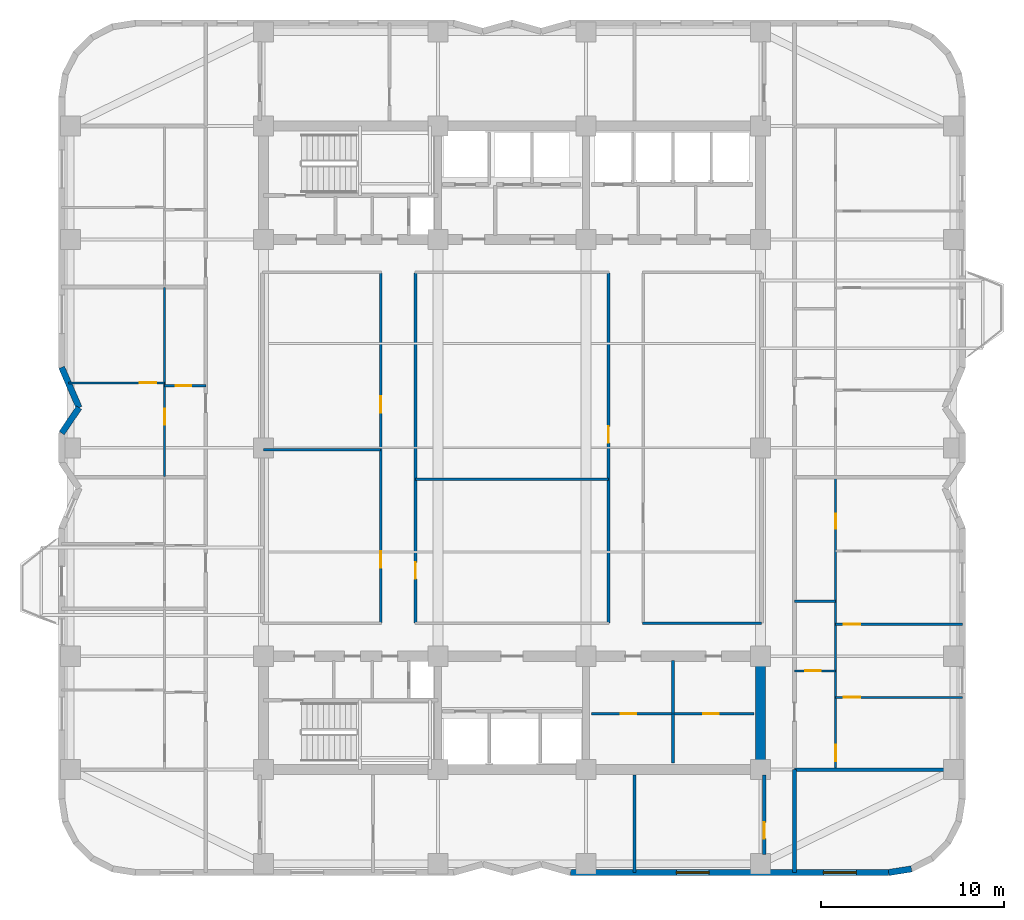
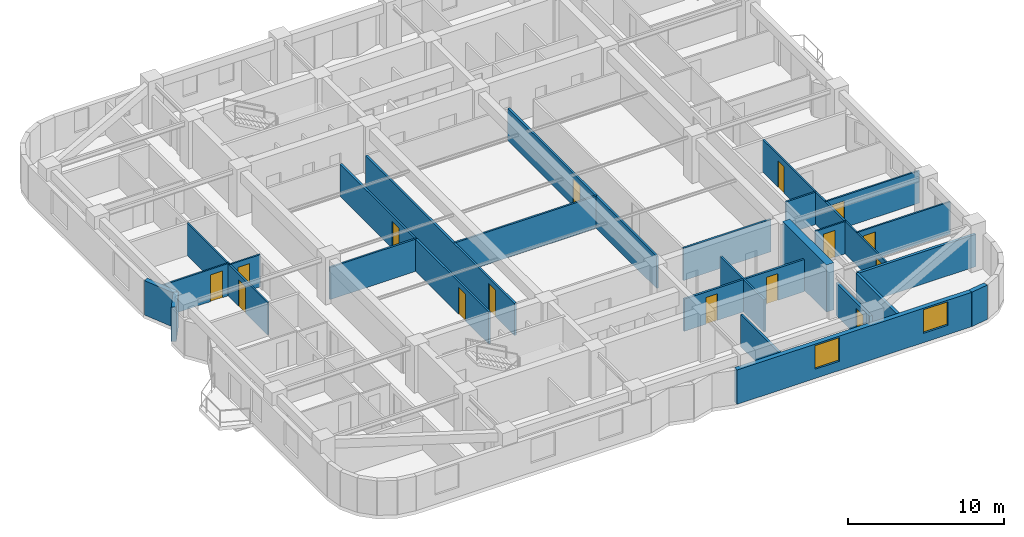
# One storey, part 4 of 9: 26 walls, 15 doors, 2 windows, 17 openings.
"""IFC4 building model written with IfcOpenShell, lengths in metres."""

from ifc_helpers import new_model, si_unit, direction, frame, frame_2d, origin, place, context, subcontext, project, spatial, rectangle, extrude, material, layer, layer_set, type_object, element, fill, save


model = new_model("IFC4")

# Units and contexts
model_context = context("Model", 3, precision=1e-05, world=origin(), true_north=direction((0.0, 1.0)))
body_context = subcontext(model_context, "Body", "Model", "MODEL_VIEW")
ifc_project = project(units=[si_unit("LENGTHUNIT", "METRE"), si_unit("AREAUNIT", "SQUARE_METRE"), si_unit("VOLUMEUNIT", "CUBIC_METRE"), si_unit("PLANEANGLEUNIT", "RADIAN"), si_unit("MASSUNIT", "GRAM", prefix="KILO")], contexts=[model_context])

# Site, building, storey
site_placement = place(None, origin())
site = spatial("IfcSite", under=ifc_project, at=site_placement, CompositionType="ELEMENT")
building_placement = place(site_placement, origin())
building = spatial("IfcBuilding", under=site, at=building_placement, Name="Svetorya Sky Lyceum", CompositionType="ELEMENT")
storey_placement = place(building_placement, frame((0.0, 0.0, 103.10009765625)))
storey = spatial("IfcBuildingStorey", under=building, at=storey_placement, Name="L25", CompositionType="ELEMENT", Elevation=103.10009765625)

# Wall
ifc_material_1 = material(Name="Concrete C60/75", Category="concrete")
ifc_layer_1 = layer(ifc_material_1, 0.550048828125)
ifc_layer_set_1 = layer_set([ifc_layer_1], Name="Concrete C60/75")
wall_type_1 = type_object("IfcWallType", Name="WL-CORE-550", PredefinedType="SHEAR", material=ifc_layer_set_1)
wall_1_placement = place(storey_placement, frame((52.800048828125, 10.875, 0.0), z_axis=(0.0, 0.0, 1.0), x_axis=(0.0, 1.0, 0.0)))
element("IfcWall", 1, at=wall_1_placement, inside=storey, type_object=wall_type_1, Name="L25 SC East Core Shear Wall", PredefinedType="SHEAR", context=body_context, shape_type="SweptSolid", body=[
    extrude(rectangle(XDim=5.64990234375, YDim=0.550048828125, at=frame_2d((2.824951171875, 0.0))), origin(), (0.0, 0.0, 1.0), 3.699951171875),
])

# Wall, openings, windows
ifc_material_2 = material(Name="Putilovo limestone rainscreen on autoclaved cellular masonry", Category="masonry")
ifc_layer_2 = layer(ifc_material_2, 0.340087890625)
ifc_layer_set_2 = layer_set([ifc_layer_2], Name="Putilovo limestone rainscreen on autoclaved cellular masonry")
wall_type_2 = type_object("IfcWallType", Name="WL-EXT-340", PredefinedType="SOLIDWALL", material=ifc_layer_set_2)
wall_2_placement = place(storey_placement, frame((42.39990234375, 4.969970703125, 0.0), z_axis=(0.0, 0.0, 1.0), x_axis=(1.0, 0.0, 0.0)))
wall_2 = element("IfcWall", 2, at=wall_2_placement, inside=storey, type_object=wall_type_2, Name="L25 Limestone Exterior Wall 11M", PredefinedType="SOLIDWALL", context=body_context, shape_type="SweptSolid", body=[
    extrude(rectangle(XDim=17.400146484375, YDim=0.340087890625, at=frame_2d((8.7001953125, 0.0))), origin(), (0.0, 0.0, 1.0), 2.699951171875),
])
opening_1_placement = place(wall_2_placement, frame((5.78759765625, 0.0, 0.72998046875)))
opening_1 = element("IfcOpeningElement", 3, at=opening_1_placement, cuts=wall_2, Name="Opening W-R1", PredefinedType="OPENING", context=body_context, shape_type="SweptSolid", body=[
    extrude(rectangle(XDim=1.800048828125, YDim=1.85009765625, at=frame_2d((0.89990234375, 0.925048828125))), frame((0.0, 0.179931640625, 0.0), z_axis=(0.0, -1.0, 0.0), x_axis=(1.0, 0.0, 0.0)), (0.0, 0.0, 1.0), 0.360107421875),
])
opening_2_placement = place(wall_2_placement, frame((13.83740234375, 0.0, 0.72998046875)))
opening_2 = element("IfcOpeningElement", 4, at=opening_2_placement, cuts=wall_2, Name="Opening W-R1", PredefinedType="OPENING", context=body_context, shape_type="SweptSolid", body=[
    extrude(rectangle(XDim=1.800048828125, YDim=1.85009765625, at=frame_2d((0.89990234375, 0.925048828125))), frame((0.0, 0.179931640625, 0.0), z_axis=(0.0, -1.0, 0.0), x_axis=(1.0, 0.0, 0.0)), (0.0, 0.0, 1.0), 0.360107421875),
])
ifc_material_3 = material(Name="Thermally broken aluminium frame with triple low-E glazing", Category="aluminium")
window_type = type_object("IfcWindowType", Name="WN-RES-180", PartitioningType="DOUBLE_PANEL_VERTICAL", PredefinedType="WINDOW", material=ifc_material_3)
window_1_placement = place(opening_1_placement, origin())
window_1 = element("IfcWindow", 5, at=window_1_placement, inside=storey, type_object=window_type, Name="L25 Facade Window W-R1.11M.1", OverallHeight=1.85009765625, OverallWidth=1.800048828125, PartitioningType="SINGLE_PANEL", PredefinedType="WINDOW", context=body_context, shape_type="SweptSolid", body=[
    extrude(rectangle(XDim=1.800048828125, YDim=1.85009765625, at=frame_2d((0.89990234375, 0.925048828125))), frame((0.0, 0.030029296875, 0.0), z_axis=(0.0, -1.0, 0.0), x_axis=(1.0, 0.0, 0.0)), (0.0, 0.0, 1.0), 0.06005859375),
])
fill(opening_1, window_1)
window_2_placement = place(opening_2_placement, origin())
window_2 = element("IfcWindow", 6, at=window_2_placement, inside=storey, type_object=window_type, Name="L25 Facade Window W-R1.11M.2", OverallHeight=1.85009765625, OverallWidth=1.800048828125, PartitioningType="SINGLE_PANEL", PredefinedType="WINDOW", context=body_context, shape_type="SweptSolid", body=[
    extrude(rectangle(XDim=1.800048828125, YDim=1.85009765625, at=frame_2d((0.89990234375, 0.925048828125))), frame((0.0, 0.030029296875, 0.0), z_axis=(0.0, -1.0, 0.0), x_axis=(1.0, 0.0, 0.0)), (0.0, 0.0, 1.0), 0.06005859375),
])
fill(opening_2, window_2)

# Walls
wall_3_placement = place(storey_placement, frame((59.800048828125, 4.969970703125, 0.0), z_axis=(0.0, 0.0, 1.0), x_axis=(0.987685918112, 0.15644975923, 0.0)))
element("IfcWall", 7, at=wall_3_placement, inside=storey, type_object=wall_type_2, Name="L25 Limestone Exterior Wall 12M", PredefinedType="SOLIDWALL", context=body_context, shape_type="SweptSolid", body=[
    extrude(rectangle(XDim=1.260986328125, YDim=0.340087890625, at=frame_2d((0.63037109375, 0.0))), origin(), (0.0, 0.0, 1.0), 2.699951171875),
])
wall_4_placement = place(storey_placement, frame((14.570068359375, 32.60009765625, 0.0), z_axis=(0.0, 0.0, 1.0), x_axis=(0.396389181543, -0.918082576218, 0.0)))
element("IfcWall", 8, at=wall_4_placement, inside=storey, type_object=wall_type_2, Name="L25 Limestone Exterior Wall 41M", PredefinedType="SOLIDWALL", context=body_context, shape_type="SweptSolid", body=[
    extrude(rectangle(XDim=2.396484375, YDim=0.340087890625, at=frame_2d((1.1982421875, 0.0))), origin(), (0.0, 0.0, 1.0), 2.699951171875),
])
wall_5_placement = place(storey_placement, frame((15.52001953125, 30.39990234375, 0.0), z_axis=(0.0, 0.0, 1.0), x_axis=(-0.561508476251, -0.827470985049, 0.0)))
element("IfcWall", 9, at=wall_5_placement, inside=storey, type_object=wall_type_2, Name="L25 Limestone Exterior Wall 42M", PredefinedType="SOLIDWALL", context=body_context, shape_type="SweptSolid", body=[
    extrude(rectangle(XDim=1.69189453125, YDim=0.340087890625, at=frame_2d((0.845947265625, 0.0))), origin(), (0.0, 0.0, 1.0), 2.699951171875),
])

# Wall, opening, door
ifc_material_4 = material(Name="Twin-stud galvanized framing with double fireboard", Category="gypsum")
ifc_layer_3 = layer(ifc_material_4, 0.1201171875)
ifc_layer_set_3 = layer_set([ifc_layer_3], Name="Twin-stud galvanized framing with double fireboard")
wall_type_3 = type_object("IfcWallType", Name="WL-PART-120", PredefinedType="PARTITIONING", material=ifc_layer_set_3)
wall_6_placement = place(storey_placement, frame((20.199951171875, 31.590087890625, 0.0), z_axis=(0.0, 0.0, 1.0), x_axis=(1.0, 0.0, 0.0)))
wall_6 = element("IfcWall", 10, at=wall_6_placement, inside=storey, type_object=wall_type_3, Name="L25 Interior Partition W3-WH1", PredefinedType="PARTITIONING", context=body_context, shape_type="SweptSolid", body=[
    extrude(rectangle(XDim=2.25, YDim=0.1201171875, at=frame_2d((1.125, 0.0))), origin(), (0.0, 0.0, 1.0), 2.52978515625),
])
opening_3_placement = place(wall_6_placement, frame((0.60009765625, 0.0, 0.0)))
opening_3 = element("IfcOpeningElement", 11, at=opening_3_placement, cuts=wall_6, Name="Opening D-BT1", PredefinedType="OPENING", context=body_context, shape_type="SweptSolid", body=[
    extrude(rectangle(XDim=0.85009765625, YDim=2.10009765625, at=frame_2d((0.425048828125, 1.050048828125))), frame((0.0, 0.070068359375, 0.0), z_axis=(0.0, -1.0, 0.0), x_axis=(1.0, 0.0, 0.0)), (0.0, 0.0, 1.0), 0.14013671875),
])
ifc_material_5 = material(Name="Moisture-resistant laminate bathroom door")
door_type_1 = type_object("IfcDoorType", Name="DR-WET-850", OperationType="SINGLE_SWING_LEFT", PredefinedType="DOOR", material=ifc_material_5)
door_1_placement = place(opening_3_placement, origin())
door_1 = element("IfcDoor", 12, at=door_1_placement, inside=storey, type_object=door_type_1, Name="Apartment W3 Bathroom Door", OperationType="SINGLE_SWING_LEFT", OverallHeight=2.10009765625, OverallWidth=0.85009765625, PredefinedType="DOOR", context=body_context, shape_type="SweptSolid", body=[
    extrude(rectangle(XDim=0.85009765625, YDim=2.10009765625, at=frame_2d((0.425048828125, 1.050048828125))), frame((0.0, 0.02490234375, 0.0), z_axis=(0.0, -1.0, 0.0), x_axis=(1.0, 0.0, 0.0)), (0.0, 0.0, 1.0), 0.050048828125),
])
fill(opening_3, door_1)

wall_7_placement = place(storey_placement, frame((14.93701171875, 31.75, 0.0), z_axis=(0.0, 0.0, 1.0), x_axis=(1.0, 0.0, 0.0)))
wall_7 = element("IfcWall", 13, at=wall_7_placement, inside=storey, type_object=wall_type_3, Name="L25 Interior Partition W3-WL1", PredefinedType="PARTITIONING", context=body_context, shape_type="SweptSolid", body=[
    extrude(rectangle(XDim=5.262939453125, YDim=0.1201171875, at=frame_2d((2.63134765625, 0.0))), origin(), (0.0, 0.0, 1.0), 2.52978515625),
])
opening_4_placement = place(wall_7_placement, frame((3.9130859375, 0.0, 0.0)))
opening_4 = element("IfcOpeningElement", 14, at=opening_4_placement, cuts=wall_7, Name="Opening D-RM1", PredefinedType="OPENING", context=body_context, shape_type="SweptSolid", body=[
    extrude(rectangle(XDim=0.89990234375, YDim=2.10009765625, at=frame_2d((0.449951171875, 1.050048828125))), frame((0.0, 0.070068359375, 0.0), z_axis=(0.0, -1.0, 0.0), x_axis=(1.0, 0.0, 0.0)), (0.0, 0.0, 1.0), 0.14013671875),
])
ifc_material_6 = material(Name="Lacquered birch veneer internal door")
door_type_2 = type_object("IfcDoorType", Name="DR-INT-900", OperationType="SINGLE_SWING_LEFT", PredefinedType="DOOR", material=ifc_material_6)
door_2_placement = place(opening_4_placement, origin())
door_2 = element("IfcDoor", 15, at=door_2_placement, inside=storey, type_object=door_type_2, Name="Apartment W3 Bedroom 1 Door", OperationType="SINGLE_SWING_LEFT", OverallHeight=2.10009765625, OverallWidth=0.89990234375, PredefinedType="DOOR", context=body_context, shape_type="SweptSolid", body=[
    extrude(rectangle(XDim=0.89990234375, YDim=2.10009765625, at=frame_2d((0.449951171875, 1.050048828125))), frame((0.0, 0.02490234375, 0.0), z_axis=(0.0, -1.0, 0.0), x_axis=(1.0, 0.0, 0.0)), (0.0, 0.0, 1.0), 0.050048828125),
])
fill(opening_4, door_2)

wall_8_placement = place(storey_placement, frame((20.199951171875, 26.639892578125, 0.0), z_axis=(0.0, 0.0, 1.0), x_axis=(0.0, 1.0, 0.0)))
wall_8 = element("IfcWall", 16, at=wall_8_placement, inside=storey, type_object=wall_type_3, Name="L25 Interior Partition W3-WV", PredefinedType="PARTITIONING", context=body_context, shape_type="SweptSolid", body=[
    extrude(rectangle(XDim=10.320068359375, YDim=0.1201171875, at=frame_2d((5.16015625, 0.0))), origin(), (0.0, 0.0, 1.0), 2.52978515625),
])
opening_5_placement = place(wall_8_placement, frame((2.81005859375, 0.0, 0.0)))
opening_5 = element("IfcOpeningElement", 17, at=opening_5_placement, cuts=wall_8, Name="Opening D-RM1", PredefinedType="OPENING", context=body_context, shape_type="SweptSolid", body=[
    extrude(rectangle(XDim=0.89990234375, YDim=2.10009765625, at=frame_2d((0.449951171875, 1.050048828125))), frame((0.0, 0.070068359375, 0.0), z_axis=(0.0, -1.0, 0.0), x_axis=(1.0, 0.0, 0.0)), (0.0, 0.0, 1.0), 0.14013671875),
])
door_3_placement = place(opening_5_placement, origin())
door_3 = element("IfcDoor", 18, at=door_3_placement, inside=storey, type_object=door_type_2, Name="Apartment W3 Living Door", OperationType="SINGLE_SWING_RIGHT", OverallHeight=2.10009765625, OverallWidth=0.89990234375, PredefinedType="DOOR", context=body_context, shape_type="SweptSolid", body=[
    extrude(rectangle(XDim=0.89990234375, YDim=2.10009765625, at=frame_2d((0.449951171875, 1.050048828125))), frame((0.0, 0.02490234375, 0.0), z_axis=(0.0, -1.0, 0.0), x_axis=(1.0, 0.0, 0.0)), (0.0, 0.0, 1.0), 0.050048828125),
])
fill(opening_5, door_3)

wall_9_placement = place(storey_placement, frame((54.64990234375, 16.0, 0.0), z_axis=(0.0, 0.0, 1.0), x_axis=(1.0, 0.0, 0.0)))
wall_9 = element("IfcWall", 19, at=wall_9_placement, inside=storey, type_object=wall_type_3, Name="L25 Interior Partition E1-WH1", PredefinedType="PARTITIONING", context=body_context, shape_type="SweptSolid", body=[
    extrude(rectangle(XDim=2.25, YDim=0.1201171875, at=frame_2d((1.125, 0.0))), origin(), (0.0, 0.0, 1.0), 2.52978515625),
])
opening_6_placement = place(wall_9_placement, frame((0.60009765625, 0.0, 0.0)))
opening_6 = element("IfcOpeningElement", 20, at=opening_6_placement, cuts=wall_9, Name="Opening D-BT1", PredefinedType="OPENING", context=body_context, shape_type="SweptSolid", body=[
    extrude(rectangle(XDim=0.85009765625, YDim=2.10009765625, at=frame_2d((0.425048828125, 1.050048828125))), frame((0.0, 0.070068359375, 0.0), z_axis=(0.0, -1.0, 0.0), x_axis=(1.0, 0.0, 0.0)), (0.0, 0.0, 1.0), 0.14013671875),
])
door_4_placement = place(opening_6_placement, origin())
door_4 = element("IfcDoor", 21, at=door_4_placement, inside=storey, type_object=door_type_1, Name="Apartment E1 Bathroom Door", OperationType="SINGLE_SWING_RIGHT", OverallHeight=2.10009765625, OverallWidth=0.85009765625, PredefinedType="DOOR", context=body_context, shape_type="SweptSolid", body=[
    extrude(rectangle(XDim=0.85009765625, YDim=2.10009765625, at=frame_2d((0.425048828125, 1.050048828125))), frame((0.0, 0.02490234375, 0.0), z_axis=(0.0, -1.0, 0.0), x_axis=(1.0, 0.0, 0.0)), (0.0, 0.0, 1.0), 0.050048828125),
])
fill(opening_6, door_4)

wall_10_placement = place(storey_placement, frame((56.89990234375, 14.550048828125, 0.0), z_axis=(0.0, 0.0, 1.0), x_axis=(1.0, 0.0, 0.0)))
wall_10 = element("IfcWall", 22, at=wall_10_placement, inside=storey, type_object=wall_type_3, Name="L25 Interior Partition E1-WL1", PredefinedType="PARTITIONING", context=body_context, shape_type="SweptSolid", body=[
    extrude(rectangle(XDim=6.93017578125, YDim=0.1201171875, at=frame_2d((3.465087890625, 0.0))), origin(), (0.0, 0.0, 1.0), 2.52978515625),
])
opening_7_placement = place(wall_10_placement, frame((0.449951171875, 0.0, 0.0)))
opening_7 = element("IfcOpeningElement", 23, at=opening_7_placement, cuts=wall_10, Name="Opening D-RM1", PredefinedType="OPENING", context=body_context, shape_type="SweptSolid", body=[
    extrude(rectangle(XDim=0.89990234375, YDim=2.10009765625, at=frame_2d((0.449951171875, 1.050048828125))), frame((0.0, 0.070068359375, 0.0), z_axis=(0.0, -1.0, 0.0), x_axis=(1.0, 0.0, 0.0)), (0.0, 0.0, 1.0), 0.14013671875),
])
door_5_placement = place(opening_7_placement, origin())
door_5 = element("IfcDoor", 24, at=door_5_placement, inside=storey, type_object=door_type_2, Name="Apartment E1 Master Bedroom Door", OperationType="SINGLE_SWING_RIGHT", OverallHeight=2.10009765625, OverallWidth=0.89990234375, PredefinedType="DOOR", context=body_context, shape_type="SweptSolid", body=[
    extrude(rectangle(XDim=0.89990234375, YDim=2.10009765625, at=frame_2d((0.449951171875, 1.050048828125))), frame((0.0, 0.02490234375, 0.0), z_axis=(0.0, -1.0, 0.0), x_axis=(1.0, 0.0, 0.0)), (0.0, 0.0, 1.0), 0.050048828125),
])
fill(opening_7, door_5)

wall_11_placement = place(storey_placement, frame((56.89990234375, 18.550048828125, 0.0), z_axis=(0.0, 0.0, 1.0), x_axis=(1.0, 0.0, 0.0)))
wall_11 = element("IfcWall", 25, at=wall_11_placement, inside=storey, type_object=wall_type_3, Name="L25 Interior Partition E1-WL2", PredefinedType="PARTITIONING", context=body_context, shape_type="SweptSolid", body=[
    extrude(rectangle(XDim=6.93017578125, YDim=0.1201171875, at=frame_2d((3.465087890625, 0.0))), origin(), (0.0, 0.0, 1.0), 2.52978515625),
])
opening_8_placement = place(wall_11_placement, frame((0.449951171875, 0.0, 0.0)))
opening_8 = element("IfcOpeningElement", 26, at=opening_8_placement, cuts=wall_11, Name="Opening D-RM1", PredefinedType="OPENING", context=body_context, shape_type="SweptSolid", body=[
    extrude(rectangle(XDim=0.89990234375, YDim=2.10009765625, at=frame_2d((0.449951171875, 1.050048828125))), frame((0.0, 0.070068359375, 0.0), z_axis=(0.0, -1.0, 0.0), x_axis=(1.0, 0.0, 0.0)), (0.0, 0.0, 1.0), 0.14013671875),
])
door_6_placement = place(opening_8_placement, origin())
door_6 = element("IfcDoor", 27, at=door_6_placement, inside=storey, type_object=door_type_2, Name="Apartment E1 Bedroom 2 Door", OperationType="SINGLE_SWING_LEFT", OverallHeight=2.10009765625, OverallWidth=0.89990234375, PredefinedType="DOOR", context=body_context, shape_type="SweptSolid", body=[
    extrude(rectangle(XDim=0.89990234375, YDim=2.10009765625, at=frame_2d((0.449951171875, 1.050048828125))), frame((0.0, 0.02490234375, 0.0), z_axis=(0.0, -1.0, 0.0), x_axis=(1.0, 0.0, 0.0)), (0.0, 0.0, 1.0), 0.050048828125),
])
fill(opening_8, door_6)

# Wall, openings, doors
wall_12_placement = place(storey_placement, frame((56.89990234375, 10.639892578125, 0.0), z_axis=(0.0, 0.0, 1.0), x_axis=(0.0, 1.0, 0.0)))
wall_12 = element("IfcWall", 28, at=wall_12_placement, inside=storey, type_object=wall_type_3, Name="L25 Interior Partition E1-WV", PredefinedType="PARTITIONING", context=body_context, shape_type="SweptSolid", body=[
    extrude(rectangle(XDim=15.920166015625, YDim=0.1201171875, at=frame_2d((7.9599609375, 0.0))), origin(), (0.0, 0.0, 1.0), 2.52978515625),
])
opening_9_placement = place(wall_12_placement, frame((0.409912109375, 0.0, 0.0)))
opening_9 = element("IfcOpeningElement", 29, at=opening_9_placement, cuts=wall_12, Name="Opening D-RM1", PredefinedType="OPENING", context=body_context, shape_type="SweptSolid", body=[
    extrude(rectangle(XDim=0.89990234375, YDim=2.10009765625, at=frame_2d((0.449951171875, 1.050048828125))), frame((0.0, 0.070068359375, 0.0), z_axis=(0.0, -1.0, 0.0), x_axis=(1.0, 0.0, 0.0)), (0.0, 0.0, 1.0), 0.14013671875),
])
opening_10_placement = place(wall_12_placement, frame((13.125, 0.0, 0.0)))
opening_10 = element("IfcOpeningElement", 30, at=opening_10_placement, cuts=wall_12, Name="Opening D-BT2", PredefinedType="OPENING", context=body_context, shape_type="SweptSolid", body=[
    extrude(rectangle(XDim=0.820068359375, YDim=2.080078125, at=frame_2d((0.41015625, 1.0400390625))), frame((0.0, 0.070068359375, 0.0), z_axis=(0.0, -1.0, 0.0), x_axis=(1.0, 0.0, 0.0)), (0.0, 0.0, 1.0), 0.14013671875),
])
door_7_placement = place(opening_9_placement, origin())
door_7 = element("IfcDoor", 31, at=door_7_placement, inside=storey, type_object=door_type_2, Name="Apartment E1 Living Door", OperationType="SINGLE_SWING_LEFT", OverallHeight=2.10009765625, OverallWidth=0.89990234375, PredefinedType="DOOR", context=body_context, shape_type="SweptSolid", body=[
    extrude(rectangle(XDim=0.89990234375, YDim=2.10009765625, at=frame_2d((0.449951171875, 1.050048828125))), frame((0.0, 0.02490234375, 0.0), z_axis=(0.0, -1.0, 0.0), x_axis=(1.0, 0.0, 0.0)), (0.0, 0.0, 1.0), 0.050048828125),
])
fill(opening_9, door_7)
ifc_material_7 = material(Name="Compact moisture-resistant laminate closet door")
door_type_3 = type_object("IfcDoorType", Name="DR-WET-820", OperationType="SINGLE_SWING_LEFT", PredefinedType="DOOR", material=ifc_material_7)
door_8_placement = place(opening_10_placement, origin())
door_8 = element("IfcDoor", 32, at=door_8_placement, inside=storey, type_object=door_type_3, Name="Apartment E1 Study Door", OperationType="SINGLE_SWING_RIGHT", OverallHeight=2.080078125, OverallWidth=0.820068359375, PredefinedType="DOOR", context=body_context, shape_type="SweptSolid", body=[
    extrude(rectangle(XDim=0.820068359375, YDim=2.080078125, at=frame_2d((0.41015625, 1.0400390625))), frame((0.0, 0.02490234375, 0.0), z_axis=(0.0, -1.0, 0.0), x_axis=(1.0, 0.0, 0.0)), (0.0, 0.0, 1.0), 0.050048828125),
])
fill(opening_10, door_8)

# Walls
ifc_material_8 = material(Name="Twin-stud galvanized framing with acoustic board", Category="gypsum")
ifc_layer_4 = layer(ifc_material_8, 0.135009765625)
ifc_layer_set_4 = layer_set([ifc_layer_4], Name="Twin-stud galvanized framing with acoustic board")
wall_type_4 = type_object("IfcWallType", Name="WL-PART-135", PredefinedType="PARTITIONING", material=ifc_layer_set_4)
wall_13_placement = place(storey_placement, frame((25.60009765625, 28.10009765625, 0.0), z_axis=(0.0, 0.0, 1.0), x_axis=(1.0, 0.0, 0.0)))
element("IfcWall", 33, at=wall_13_placement, inside=storey, type_object=wall_type_4, Name="L25 Interior Partition ISL-HMW", PredefinedType="PARTITIONING", context=body_context, shape_type="SweptSolid", body=[
    extrude(rectangle(XDim=6.419921875, YDim=0.135009765625, at=frame_2d((3.2099609375, 0.0))), origin(), (0.0, 0.0, 1.0), 2.52978515625),
])
wall_14_placement = place(storey_placement, frame((33.919921875, 26.477294921875, 0.0), z_axis=(0.0, 0.0, 1.0), x_axis=(1.0, 0.0, 0.0)))
element("IfcWall", 34, at=wall_14_placement, inside=storey, type_object=wall_type_4, Name="L25 Interior Partition ISL-HMIDE", PredefinedType="PARTITIONING", context=body_context, shape_type="SweptSolid", body=[
    extrude(rectangle(XDim=10.56005859375, YDim=0.135009765625, at=frame_2d((5.280029296875, 0.0))), origin(), (0.0, 0.0, 1.0), 2.52978515625),
])
wall_15_placement = place(storey_placement, frame((54.64990234375, 19.800048828125, 0.0), z_axis=(0.0, 0.0, 1.0), x_axis=(1.0, 0.0, 0.0)))
element("IfcWall", 35, at=wall_15_placement, inside=storey, type_object=wall_type_4, Name="L25 Interior Partition E1-WH2", PredefinedType="PARTITIONING", context=body_context, shape_type="SweptSolid", body=[
    extrude(rectangle(XDim=2.25, YDim=0.135009765625, at=frame_2d((1.125, 0.0))), origin(), (0.0, 0.0, 1.0), 2.52978515625),
])
ifc_material_9 = material(Name="Autoclaved cellular masonry blockwork with acoustic render", Category="masonry")
ifc_layer_5 = layer(ifc_material_9, 0.14990234375)
ifc_layer_set_5 = layer_set([ifc_layer_5], Name="Autoclaved cellular masonry blockwork with acoustic render")
wall_type_5 = type_object("IfcWallType", Name="WL-PART-150", PredefinedType="PARTITIONING", material=ifc_layer_set_5)
wall_16_placement = place(storey_placement, frame((48.0, 10.949951171875, 0.0), z_axis=(0.0, 0.0, 1.0), x_axis=(0.0, 1.0, 0.0)))
element("IfcWall", 36, at=wall_16_placement, inside=storey, type_object=wall_type_5, Name="L25 Interior Partition SC-LV7-V", PredefinedType="PARTITIONING", context=body_context, shape_type="SweptSolid", body=[
    extrude(rectangle(XDim=5.630126953125, YDim=0.14990234375, at=frame_2d((2.81494140625, 0.0))), origin(), (0.0, 0.0, 1.0), 2.52978515625),
])

# Wall, opening, door
wall_17_placement = place(storey_placement, frame((43.550048828125, 13.64990234375, 0.0), z_axis=(0.0, 0.0, 1.0), x_axis=(1.0, 0.0, 0.0)))
wall_17 = element("IfcWall", 37, at=wall_17_placement, inside=storey, type_object=wall_type_5, Name="L25 Interior Partition SC-LV7-HW", PredefinedType="PARTITIONING", context=body_context, shape_type="SweptSolid", body=[
    extrude(rectangle(XDim=4.39990234375, YDim=0.14990234375, at=frame_2d((2.199951171875, 0.0))), origin(), (0.0, 0.0, 1.0), 2.52978515625),
])
opening_11_placement = place(wall_17_placement, frame((1.60009765625, 0.0, 0.0)))
opening_11 = element("IfcOpeningElement", 38, at=opening_11_placement, cuts=wall_17, Name="Opening D-CWC1", PredefinedType="OPENING", context=body_context, shape_type="SweptSolid", body=[
    extrude(rectangle(XDim=0.85009765625, YDim=2.10009765625, at=frame_2d((0.425048828125, 1.050048828125))), frame((0.0, 0.0849609375, 0.0), z_axis=(0.0, -1.0, 0.0), x_axis=(1.0, 0.0, 0.0)), (0.0, 0.0, 1.0), 0.169921875),
])
ifc_material_10 = material(Name="Fire-rated galvanized steel core service closet door", Category="steel")
door_type_4 = type_object("IfcDoorType", Name="DR-CWET-850", OperationType="SINGLE_SWING_LEFT", PredefinedType="DOOR", material=ifc_material_10)
door_9_placement = place(opening_11_placement, origin())
door_9 = element("IfcDoor", 39, at=door_9_placement, inside=storey, type_object=door_type_4, Name="L25 South Electrical Room Door", OperationType="SINGLE_SWING_LEFT", OverallHeight=2.10009765625, OverallWidth=0.85009765625, PredefinedType="DOOR", context=body_context, shape_type="SweptSolid", body=[
    extrude(rectangle(XDim=0.85009765625, YDim=2.10009765625, at=frame_2d((0.425048828125, 1.050048828125))), frame((0.0, 0.02490234375, 0.0), z_axis=(0.0, -1.0, 0.0), x_axis=(1.0, 0.0, 0.0)), (0.0, 0.0, 1.0), 0.050048828125),
])
fill(opening_11, door_9)

wall_18_placement = place(storey_placement, frame((48.050048828125, 13.64990234375, 0.0), z_axis=(0.0, 0.0, 1.0), x_axis=(1.0, 0.0, 0.0)))
wall_18 = element("IfcWall", 40, at=wall_18_placement, inside=storey, type_object=wall_type_5, Name="L25 Interior Partition SC-LV7-HE", PredefinedType="PARTITIONING", context=body_context, shape_type="SweptSolid", body=[
    extrude(rectangle(XDim=4.39990234375, YDim=0.14990234375, at=frame_2d((2.199951171875, 0.0))), origin(), (0.0, 0.0, 1.0), 2.52978515625),
])
opening_12_placement = place(wall_18_placement, frame((1.60009765625, 0.0, 0.0)))
opening_12 = element("IfcOpeningElement", 41, at=opening_12_placement, cuts=wall_18, Name="Opening D-CWC1", PredefinedType="OPENING", context=body_context, shape_type="SweptSolid", body=[
    extrude(rectangle(XDim=0.85009765625, YDim=2.10009765625, at=frame_2d((0.425048828125, 1.050048828125))), frame((0.0, 0.0849609375, 0.0), z_axis=(0.0, -1.0, 0.0), x_axis=(1.0, 0.0, 0.0)), (0.0, 0.0, 1.0), 0.169921875),
])
door_10_placement = place(opening_12_placement, origin())
door_10 = element("IfcDoor", 42, at=door_10_placement, inside=storey, type_object=door_type_4, Name="L25 South Server Closet Door", OperationType="SINGLE_SWING_RIGHT", OverallHeight=2.10009765625, OverallWidth=0.85009765625, PredefinedType="DOOR", context=body_context, shape_type="SweptSolid", body=[
    extrude(rectangle(XDim=0.85009765625, YDim=2.10009765625, at=frame_2d((0.425048828125, 1.050048828125))), frame((0.0, 0.02490234375, 0.0), z_axis=(0.0, -1.0, 0.0), x_axis=(1.0, 0.0, 0.0)), (0.0, 0.0, 1.0), 0.050048828125),
])
fill(opening_12, door_10)

# Wall
wall_19_placement = place(storey_placement, frame((46.35009765625, 18.60009765625, 0.0), z_axis=(0.0, 0.0, 1.0), x_axis=(1.0, 0.0, 0.0)))
element("IfcWall", 43, at=wall_19_placement, inside=storey, type_object=wall_type_5, Name="L25 Interior Partition RL-CS-E", PredefinedType="PARTITIONING", context=body_context, shape_type="SweptSolid", body=[
    extrude(rectangle(XDim=6.5, YDim=0.14990234375, at=frame_2d((3.25, 0.0))), origin(), (0.0, 0.0, 1.0), 2.52978515625),
])

# Wall, openings, doors
wall_20_placement = place(storey_placement, frame((32.02001953125, 18.6298828125, 0.0), z_axis=(0.0, 0.0, 1.0), x_axis=(0.0, 1.0, 0.0)))
wall_20 = element("IfcWall", 44, at=wall_20_placement, inside=storey, type_object=wall_type_5, Name="L25 Interior Partition ISL-WW", PredefinedType="PARTITIONING", context=body_context, shape_type="SweptSolid", body=[
    extrude(rectangle(XDim=19.14013671875, YDim=0.14990234375, at=frame_2d((9.570068359375, 0.0))), origin(), (0.0, 0.0, 1.0), 2.52978515625),
])
opening_13_placement = place(wall_20_placement, frame((3.0, 0.0, 0.0)))
opening_13 = element("IfcOpeningElement", 45, at=opening_13_placement, cuts=wall_20, Name="Opening D-RM1", PredefinedType="OPENING", context=body_context, shape_type="SweptSolid", body=[
    extrude(rectangle(XDim=0.89990234375, YDim=2.10009765625, at=frame_2d((0.449951171875, 1.050048828125))), frame((0.0, 0.0849609375, 0.0), z_axis=(0.0, -1.0, 0.0), x_axis=(1.0, 0.0, 0.0)), (0.0, 0.0, 1.0), 0.169921875),
])
opening_14_placement = place(wall_20_placement, frame((11.5, 0.0, 0.0)))
opening_14 = element("IfcOpeningElement", 46, at=opening_14_placement, cuts=wall_20, Name="Opening D-RM1", PredefinedType="OPENING", context=body_context, shape_type="SweptSolid", body=[
    extrude(rectangle(XDim=0.89990234375, YDim=2.10009765625, at=frame_2d((0.449951171875, 1.050048828125))), frame((0.0, 0.0849609375, 0.0), z_axis=(0.0, -1.0, 0.0), x_axis=(1.0, 0.0, 0.0)), (0.0, 0.0, 1.0), 0.169921875),
])
door_11_placement = place(opening_13_placement, origin())
door_11 = element("IfcDoor", 47, at=door_11_placement, inside=storey, type_object=door_type_2, Name="L25 Reading Door", OperationType="SINGLE_SWING_RIGHT", OverallHeight=2.10009765625, OverallWidth=0.89990234375, PredefinedType="DOOR", context=body_context, shape_type="SweptSolid", body=[
    extrude(rectangle(XDim=0.89990234375, YDim=2.10009765625, at=frame_2d((0.449951171875, 1.050048828125))), frame((0.0, 0.02490234375, 0.0), z_axis=(0.0, -1.0, 0.0), x_axis=(1.0, 0.0, 0.0)), (0.0, 0.0, 1.0), 0.050048828125),
])
fill(opening_13, door_11)
door_12_placement = place(opening_14_placement, origin())
door_12 = element("IfcDoor", 48, at=door_12_placement, inside=storey, type_object=door_type_2, Name="L25 Music Door", OperationType="SINGLE_SWING_LEFT", OverallHeight=2.10009765625, OverallWidth=0.89990234375, PredefinedType="DOOR", context=body_context, shape_type="SweptSolid", body=[
    extrude(rectangle(XDim=0.89990234375, YDim=2.10009765625, at=frame_2d((0.449951171875, 1.050048828125))), frame((0.0, 0.02490234375, 0.0), z_axis=(0.0, -1.0, 0.0), x_axis=(1.0, 0.0, 0.0)), (0.0, 0.0, 1.0), 0.050048828125),
])
fill(opening_14, door_12)

# Wall, opening, door
wall_21_placement = place(storey_placement, frame((33.919921875, 18.6298828125, 0.0), z_axis=(0.0, 0.0, 1.0), x_axis=(0.0, 1.0, 0.0)))
wall_21 = element("IfcWall", 49, at=wall_21_placement, inside=storey, type_object=wall_type_5, Name="L25 Interior Partition ISL-WE", PredefinedType="PARTITIONING", context=body_context, shape_type="SweptSolid", body=[
    extrude(rectangle(XDim=19.14013671875, YDim=0.14990234375, at=frame_2d((9.570068359375, 0.0))), origin(), (0.0, 0.0, 1.0), 2.52978515625),
])
opening_15_placement = place(wall_21_placement, frame((2.39990234375, 0.0, 0.0)))
opening_15 = element("IfcOpeningElement", 50, at=opening_15_placement, cuts=wall_21, Name="Opening D-RM1", PredefinedType="OPENING", context=body_context, shape_type="SweptSolid", body=[
    extrude(rectangle(XDim=0.89990234375, YDim=2.10009765625, at=frame_2d((0.449951171875, 1.050048828125))), frame((0.0, 0.0849609375, 0.0), z_axis=(0.0, -1.0, 0.0), x_axis=(1.0, 0.0, 0.0)), (0.0, 0.0, 1.0), 0.169921875),
])
door_13_placement = place(opening_15_placement, origin())
door_13 = element("IfcDoor", 51, at=door_13_placement, inside=storey, type_object=door_type_2, Name="L25 Office Door", OperationType="SINGLE_SWING_LEFT", OverallHeight=2.10009765625, OverallWidth=0.89990234375, PredefinedType="DOOR", context=body_context, shape_type="SweptSolid", body=[
    extrude(rectangle(XDim=0.89990234375, YDim=2.10009765625, at=frame_2d((0.449951171875, 1.050048828125))), frame((0.0, 0.02490234375, 0.0), z_axis=(0.0, -1.0, 0.0), x_axis=(1.0, 0.0, 0.0)), (0.0, 0.0, 1.0), 0.050048828125),
])
fill(opening_15, door_13)

wall_22_placement = place(storey_placement, frame((44.47998046875, 18.6298828125, 0.0), z_axis=(0.0, 0.0, 1.0), x_axis=(0.0, 1.0, 0.0)))
wall_22 = element("IfcWall", 52, at=wall_22_placement, inside=storey, type_object=wall_type_5, Name="L25 Interior Partition ISL-EW", PredefinedType="PARTITIONING", context=body_context, shape_type="SweptSolid", body=[
    extrude(rectangle(XDim=19.14013671875, YDim=0.14990234375, at=frame_2d((9.570068359375, 0.0))), origin(), (0.0, 0.0, 1.0), 2.52978515625),
])
opening_16_placement = place(wall_22_placement, frame((9.847412109375, 0.0, 0.0)))
opening_16 = element("IfcOpeningElement", 53, at=opening_16_placement, cuts=wall_22, Name="Opening D-RM1", PredefinedType="OPENING", context=body_context, shape_type="SweptSolid", body=[
    extrude(rectangle(XDim=0.89990234375, YDim=2.10009765625, at=frame_2d((0.449951171875, 1.050048828125))), frame((0.0, 0.0849609375, 0.0), z_axis=(0.0, -1.0, 0.0), x_axis=(1.0, 0.0, 0.0)), (0.0, 0.0, 1.0), 0.169921875),
])
door_14_placement = place(opening_16_placement, origin())
door_14 = element("IfcDoor", 54, at=door_14_placement, inside=storey, type_object=door_type_2, Name="L25 Meeting Door", OperationType="SINGLE_SWING_RIGHT", OverallHeight=2.10009765625, OverallWidth=0.89990234375, PredefinedType="DOOR", context=body_context, shape_type="SweptSolid", body=[
    extrude(rectangle(XDim=0.89990234375, YDim=2.10009765625, at=frame_2d((0.449951171875, 1.050048828125))), frame((0.0, 0.02490234375, 0.0), z_axis=(0.0, -1.0, 0.0), x_axis=(1.0, 0.0, 0.0)), (0.0, 0.0, 1.0), 0.050048828125),
])
fill(opening_16, door_14)

# Walls
wall_23_placement = place(storey_placement, frame((45.89990234375, 4.969970703125, 0.0), z_axis=(0.0, 0.0, 1.0), x_axis=(0.0, 1.0, 0.0)))
element("IfcWall", 55, at=wall_23_placement, inside=storey, type_object=wall_type_5, Name="L25 Interior Partition S-D2", PredefinedType="PARTITIONING", context=body_context, shape_type="SweptSolid", body=[
    extrude(rectangle(XDim=5.330078125, YDim=0.14990234375, at=frame_2d((2.6650390625, 0.0))), origin(), (0.0, 0.0, 1.0), 2.52978515625),
])
ifc_material_11 = material(Name="Autoclaved cellular masonry blockwork with gypsum plaster", Category="masonry")
ifc_layer_6 = layer(ifc_material_11, 0.199951171875)
ifc_layer_set_6 = layer_set([ifc_layer_6], Name="Autoclaved cellular masonry blockwork with gypsum plaster")
wall_type_6 = type_object("IfcWallType", Name="WL-PART-200", PredefinedType="PARTITIONING", material=ifc_layer_set_6)
wall_24_placement = place(storey_placement, frame((54.64990234375, 10.60009765625, 0.0), z_axis=(0.0, 0.0, 1.0), x_axis=(1.0, 0.0, 0.0)))
element("IfcWall", 56, at=wall_24_placement, inside=storey, type_object=wall_type_6, Name="L25 Interior Partition E-CAP-S", PredefinedType="PARTITIONING", context=body_context, shape_type="SweptSolid", body=[
    extrude(rectangle(XDim=8.760009765625, YDim=0.199951171875, at=frame_2d((4.3798828125, 0.0))), origin(), (0.0, 0.0, 1.0), 2.52978515625),
])
wall_25_placement = place(storey_placement, frame((54.64990234375, 4.969970703125, 0.0), z_axis=(0.0, 0.0, 1.0), x_axis=(0.0, 1.0, 0.0)))
element("IfcWall", 57, at=wall_25_placement, inside=storey, type_object=wall_type_6, Name="L25 Interior Partition EC-SE-END", PredefinedType="PARTITIONING", context=body_context, shape_type="SweptSolid", body=[
    extrude(rectangle(XDim=5.630126953125, YDim=0.199951171875, at=frame_2d((2.81494140625, 0.0))), origin(), (0.0, 0.0, 1.0), 2.52978515625),
])

# Wall, opening, door
wall_26_placement = place(storey_placement, frame((53.0, 5.969970703125, 0.0), z_axis=(0.0, 0.0, 1.0), x_axis=(0.0, 1.0, 0.0)))
wall_26 = element("IfcWall", 58, at=wall_26_placement, inside=storey, type_object=wall_type_6, Name="L25 Interior Partition S-EE", PredefinedType="PARTITIONING", context=body_context, shape_type="SweptSolid", body=[
    extrude(rectangle(XDim=4.330078125, YDim=0.199951171875, at=frame_2d((2.1650390625, 0.0))), origin(), (0.0, 0.0, 1.0), 2.52978515625),
])
opening_17_placement = place(wall_26_placement, frame((0.85009765625, 0.0, 0.0)))
opening_17 = element("IfcOpeningElement", 59, at=opening_17_placement, cuts=wall_26, Name="Opening D-RM1", PredefinedType="OPENING", context=body_context, shape_type="SweptSolid", body=[
    extrude(rectangle(XDim=0.89990234375, YDim=2.10009765625, at=frame_2d((0.449951171875, 1.050048828125))), frame((0.0, 0.10986328125, 0.0), z_axis=(0.0, -1.0, 0.0), x_axis=(1.0, 0.0, 0.0)), (0.0, 0.0, 1.0), 0.219970703125),
])
door_15_placement = place(opening_17_placement, origin())
door_15 = element("IfcDoor", 60, at=door_15_placement, inside=storey, type_object=door_type_2, Name="L25 South Focus Door", OperationType="SINGLE_SWING_RIGHT", OverallHeight=2.10009765625, OverallWidth=0.89990234375, PredefinedType="DOOR", context=body_context, shape_type="SweptSolid", body=[
    extrude(rectangle(XDim=0.89990234375, YDim=2.10009765625, at=frame_2d((0.449951171875, 1.050048828125))), frame((0.0, 0.02490234375, 0.0), z_axis=(0.0, -1.0, 0.0), x_axis=(1.0, 0.0, 0.0)), (0.0, 0.0, 1.0), 0.050048828125),
])
fill(opening_17, door_15)

save(model, "model.ifc")
